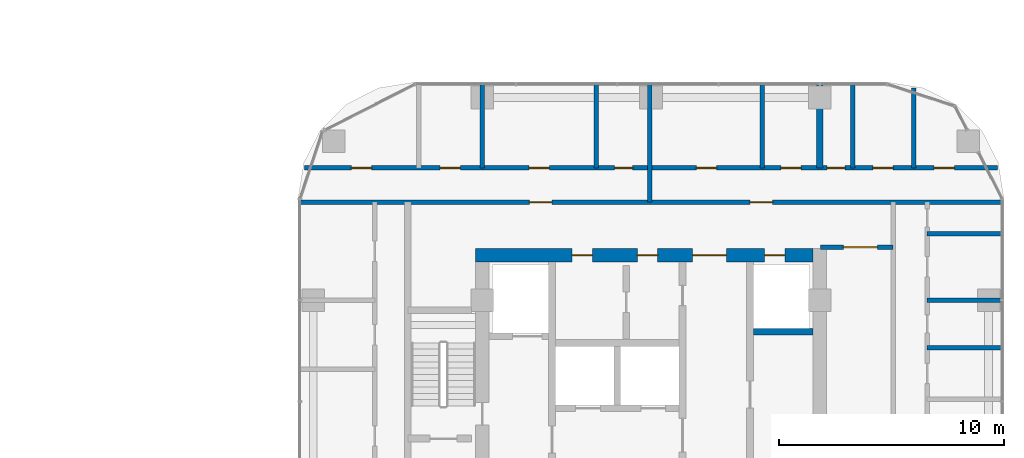
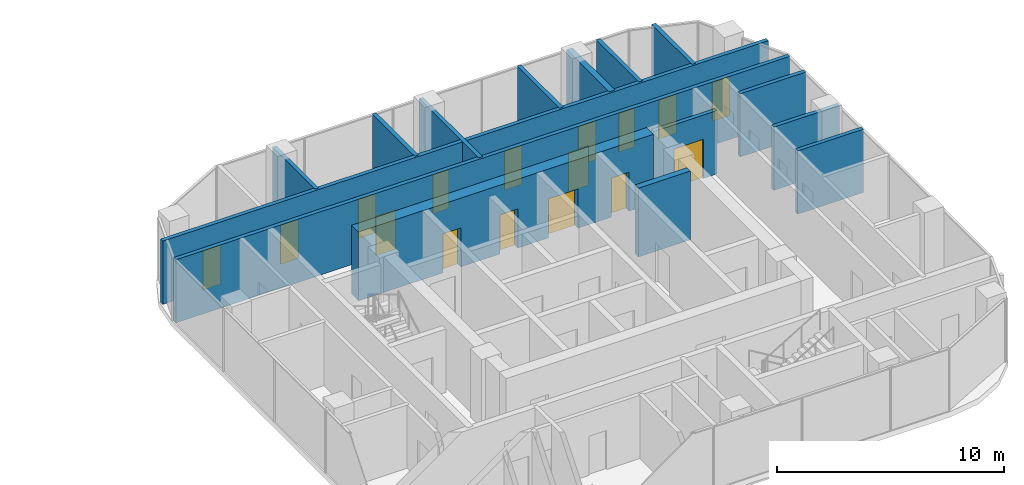
# One storey, part 21 of 30: 16 doors, 15 walls, 16 openings.
"""IFC4 building model written with IfcOpenShell, lengths in metres."""

from ifc_helpers import new_model, si_unit, direction, frame, frame_2d, origin, place, context, subcontext, project, spatial, rectangle, extrude, material, layer, layer_set, type_object, element, fill, save


model = new_model("IFC4")

# Units and contexts
model_context = context("Model", 3, precision=1e-05, world=origin(), true_north=direction((0.0, 1.0)))
body_context = subcontext(model_context, "Body", "Model", "MODEL_VIEW")
ifc_project = project(units=[si_unit("LENGTHUNIT", "METRE"), si_unit("AREAUNIT", "SQUARE_METRE"), si_unit("VOLUMEUNIT", "CUBIC_METRE"), si_unit("PLANEANGLEUNIT", "RADIAN"), si_unit("MASSUNIT", "GRAM", prefix="KILO")], contexts=[model_context])

# Site, building, storey
site_placement = place(None, origin())
site = spatial("IfcSite", under=ifc_project, at=site_placement, CompositionType="ELEMENT")
building_placement = place(site_placement, origin())
building = spatial("IfcBuilding", under=site, at=building_placement, Name="Ogive Portal Towers", CompositionType="ELEMENT")
storey_placement = place(building_placement, frame((0.0, 0.0, 37.199951171875)))
storey = spatial("IfcBuildingStorey", under=building, at=storey_placement, Name="L07", CompositionType="ELEMENT", Elevation=37.199951171875)

# Wall
ifc_material_1 = material(Name="Concrete C60/75", Category="concrete")
ifc_layer_1 = layer(ifc_material_1, 0.300048828125)
ifc_layer_set_1 = layer_set([ifc_layer_1], Name="CORE WALL 300 C60")
wall_type_1 = type_object("IfcWallType", Name="CORE WALL 300 C60", PredefinedType="SHEAR", material=ifc_layer_set_1)
wall_1_placement = place(storey_placement, frame((141.050048828125, 34.10009765625, 0.0), z_axis=(0.0, 0.0, 1.0), x_axis=(1.0, 0.0, 0.0)))
element("IfcWall", 1, at=wall_1_placement, inside=storey, type_object=wall_type_1, Name="Tower B core wall BY7 L07", PredefinedType="SHEAR", context=body_context, shape_type="SweptSolid", body=[
    extrude(rectangle(XDim=2.64990234375, YDim=0.300048828125, at=frame_2d((1.324951171875, 0.0))), origin(), (0.0, 0.0, 1.0), 3.699951171875),
])

# Wall, openings, doors
ifc_layer_2 = layer(ifc_material_1, 0.60009765625)
ifc_layer_set_2 = layer_set([ifc_layer_2], Name="CORE WALL 600 C60")
wall_type_2 = type_object("IfcWallType", Name="CORE WALL 600 C60", PredefinedType="SHEAR", material=ifc_layer_set_2)
wall_2_placement = place(storey_placement, frame((128.699951171875, 37.5, 0.0), z_axis=(0.0, 0.0, 1.0), x_axis=(1.0, 0.0, 0.0)))
wall_2 = element("IfcWall", 2, at=wall_2_placement, inside=storey, type_object=wall_type_2, Name="Tower B core wall BN L07", PredefinedType="SHEAR", context=body_context, shape_type="SweptSolid", body=[
    extrude(rectangle(XDim=15.0, YDim=0.60009765625, at=frame_2d((7.5, 0.0))), origin(), (0.0, 0.0, 1.0), 3.699951171875),
])
opening_1_placement = place(wall_2_placement, frame((9.64990234375, 0.0, 0.0)))
opening_1 = element("IfcOpeningElement", 3, at=opening_1_placement, cuts=wall_2, Name="Opening B01-048", PredefinedType="OPENING", context=body_context, shape_type="SweptSolid", body=[
    extrude(rectangle(XDim=1.5, YDim=2.10009765625, at=frame_2d((0.75, 1.050048828125))), frame((0.0, 0.31005859375, 0.0), z_axis=(0.0, -1.0, 0.0), x_axis=(1.0, 0.0, 0.0)), (0.0, 0.0, 1.0), 0.6201171875),
])
opening_2_placement = place(wall_2_placement, frame((12.85009765625, 0.0, 0.0)))
opening_2 = element("IfcOpeningElement", 4, at=opening_2_placement, cuts=wall_2, Name="Opening B01-050", PredefinedType="OPENING", context=body_context, shape_type="SweptSolid", body=[
    extrude(rectangle(XDim=0.89990234375, YDim=2.10009765625, at=frame_2d((0.449951171875, 1.050048828125))), frame((0.0, 0.31005859375, 0.0), z_axis=(0.0, -1.0, 0.0), x_axis=(1.0, 0.0, 0.0)), (0.0, 0.0, 1.0), 0.6201171875),
])
opening_3_placement = place(wall_2_placement, frame((4.300048828125, 0.0, 0.0)))
opening_3 = element("IfcOpeningElement", 5, at=opening_3_placement, cuts=wall_2, Name="Opening B01-057", PredefinedType="OPENING", context=body_context, shape_type="SweptSolid", body=[
    extrude(rectangle(XDim=0.89990234375, YDim=2.10009765625, at=frame_2d((0.449951171875, 1.050048828125))), frame((0.0, 0.31005859375, 0.0), z_axis=(0.0, -1.0, 0.0), x_axis=(1.0, 0.0, 0.0)), (0.0, 0.0, 1.0), 0.6201171875),
])
opening_4_placement = place(wall_2_placement, frame((7.199951171875, 0.0, 0.0)))
opening_4 = element("IfcOpeningElement", 6, at=opening_4_placement, cuts=wall_2, Name="Opening B01-058", PredefinedType="OPENING", context=body_context, shape_type="SweptSolid", body=[
    extrude(rectangle(XDim=0.89990234375, YDim=2.10009765625, at=frame_2d((0.449951171875, 1.050048828125))), frame((0.0, 0.31005859375, 0.0), z_axis=(0.0, -1.0, 0.0), x_axis=(1.0, 0.0, 0.0)), (0.0, 0.0, 1.0), 0.6201171875),
])
ifc_material_2 = material(Name="Steel fire door", Category="steel")
door_type_1 = type_object("IfcDoorType", Name="DT-SWING-1500x2100-FD90S", OperationType="SINGLE_SWING_LEFT", PredefinedType="DOOR", material=ifc_material_2)
door_1_placement = place(opening_1_placement, origin())
door_1 = element("IfcDoor", 7, at=door_1_placement, inside=storey, type_object=door_type_1, Name="Door B01-048", OperationType="SINGLE_SWING_RIGHT", OverallHeight=2.10009765625, OverallWidth=1.5, PredefinedType="DOOR", context=body_context, shape_type="SweptSolid", body=[
    extrude(rectangle(XDim=1.5, YDim=2.10009765625, at=frame_2d((0.75, 1.050048828125))), frame((0.0, 0.02490234375, 0.0), z_axis=(0.0, -1.0, 0.0), x_axis=(1.0, 0.0, 0.0)), (0.0, 0.0, 1.0), 0.050048828125),
])
fill(opening_1, door_1)
door_type_2 = type_object("IfcDoorType", Name="DT-SWING-900x2100-FD90S", OperationType="SINGLE_SWING_LEFT", PredefinedType="DOOR", material=ifc_material_2)
door_2_placement = place(opening_2_placement, origin())
door_2 = element("IfcDoor", 8, at=door_2_placement, inside=storey, type_object=door_type_2, Name="Riser access door B01-050", OperationType="SINGLE_SWING_RIGHT", OverallHeight=2.10009765625, OverallWidth=0.89990234375, PredefinedType="DOOR", context=body_context, shape_type="SweptSolid", body=[
    extrude(rectangle(XDim=0.89990234375, YDim=2.10009765625, at=frame_2d((0.449951171875, 1.050048828125))), frame((0.0, 0.02490234375, 0.0), z_axis=(0.0, -1.0, 0.0), x_axis=(1.0, 0.0, 0.0)), (0.0, 0.0, 1.0), 0.050048828125),
])
fill(opening_2, door_2)
door_3_placement = place(opening_3_placement, origin())
door_3 = element("IfcDoor", 9, at=door_3_placement, inside=storey, type_object=door_type_2, Name="Door B01-057", OperationType="SINGLE_SWING_LEFT", OverallHeight=2.10009765625, OverallWidth=0.89990234375, PredefinedType="DOOR", context=body_context, shape_type="SweptSolid", body=[
    extrude(rectangle(XDim=0.89990234375, YDim=2.10009765625, at=frame_2d((0.449951171875, 1.050048828125))), frame((0.0, 0.02490234375, 0.0), z_axis=(0.0, -1.0, 0.0), x_axis=(1.0, 0.0, 0.0)), (0.0, 0.0, 1.0), 0.050048828125),
])
fill(opening_3, door_3)
door_4_placement = place(opening_4_placement, origin())
door_4 = element("IfcDoor", 10, at=door_4_placement, inside=storey, type_object=door_type_2, Name="Door B01-058", OperationType="SINGLE_SWING_RIGHT", OverallHeight=2.10009765625, OverallWidth=0.89990234375, PredefinedType="DOOR", context=body_context, shape_type="SweptSolid", body=[
    extrude(rectangle(XDim=0.89990234375, YDim=2.10009765625, at=frame_2d((0.449951171875, 1.050048828125))), frame((0.0, 0.02490234375, 0.0), z_axis=(0.0, -1.0, 0.0), x_axis=(1.0, 0.0, 0.0)), (0.0, 0.0, 1.0), 0.050048828125),
])
fill(opening_4, door_4)

# Walls
ifc_material_3 = material(Name="Gypsum board partition on steel studs", Category="steel")
ifc_layer_3 = layer(ifc_material_3, 0.199951171875)
ifc_layer_set_3 = layer_set([ifc_layer_3], Name="WT-PART-200-EI 60")
wall_type_3 = type_object("IfcWallType", Name="WT-PART-200-EI 60", PredefinedType="PARTITIONING", material=ifc_layer_set_3)
for number, where, z_axis, x_axis, name in (
    (11, (148.77001953125, 33.39111328125, 0.0), (0.0, 0.0, 1.0), (1.0, 0.0, 0.0), "Wall L07:w013"),
    (12, (148.77001953125, 35.5, 0.0), (0.0, 0.0, 1.0), (1.0, 0.0, 0.0), "Wall L07:w016"),
):
    element("IfcWall", number, at=place(storey_placement, frame(where, z_axis=z_axis, x_axis=x_axis)), inside=storey, type_object=wall_type_3, Name=name, PredefinedType="PARTITIONING", context=body_context, shape_type="SweptSolid", body=[
        extrude(rectangle(XDim=3.340087890625, YDim=0.199951171875, at=frame_2d((1.669921875, 0.0))), origin(), (0.0, 0.0, 1.0), 3.400146484375),
    ])

# Wall, opening, door
wall_3_placement = place(storey_placement, frame((144.02001953125, 37.85009765625, 0.0), z_axis=(0.0, 0.0, 1.0), x_axis=(1.0, 0.0, 0.0)))
wall_3 = element("IfcWall", 13, at=wall_3_placement, inside=storey, type_object=wall_type_3, Name="Wall L07:w018", PredefinedType="PARTITIONING", context=body_context, shape_type="SweptSolid", body=[
    extrude(rectangle(XDim=3.22998046875, YDim=0.199951171875, at=frame_2d((1.614990234375, 0.0))), origin(), (0.0, 0.0, 1.0), 3.400146484375),
])
opening_5_placement = place(wall_3_placement, frame((1.030029296875, 0.0, 0.0)))
opening_5 = element("IfcOpeningElement", 14, at=opening_5_placement, cuts=wall_3, Name="Opening B01-001", PredefinedType="OPENING", context=body_context, shape_type="SweptSolid", body=[
    extrude(rectangle(XDim=1.5, YDim=2.10009765625, at=frame_2d((0.75, 1.050048828125))), frame((0.0, 0.10986328125, 0.0), z_axis=(0.0, -1.0, 0.0), x_axis=(1.0, 0.0, 0.0)), (0.0, 0.0, 1.0), 0.219970703125),
])
door_type_3 = type_object("IfcDoorType", Name="DT-SWING-1500x2100-FD60S", OperationType="SINGLE_SWING_LEFT", PredefinedType="DOOR", material=ifc_material_2)
door_5_placement = place(opening_5_placement, origin())
door_5 = element("IfcDoor", 15, at=door_5_placement, inside=storey, type_object=door_type_3, Name="Door B01-001", OperationType="SINGLE_SWING_LEFT", OverallHeight=2.10009765625, OverallWidth=1.5, PredefinedType="DOOR", context=body_context, shape_type="SweptSolid", body=[
    extrude(rectangle(XDim=1.5, YDim=2.10009765625, at=frame_2d((0.75, 1.050048828125))), frame((0.0, 0.02490234375, 0.0), z_axis=(0.0, -1.0, 0.0), x_axis=(1.0, 0.0, 0.0)), (0.0, 0.0, 1.0), 0.050048828125),
])
fill(opening_5, door_5)

# Wall
wall_4_placement = place(storey_placement, frame((148.77001953125, 38.4560546875, 0.0), z_axis=(0.0, 0.0, 1.0), x_axis=(1.0, 0.0, 0.0)))
element("IfcWall", 16, at=wall_4_placement, inside=storey, type_object=wall_type_3, Name="Wall L07:w019", PredefinedType="PARTITIONING", context=body_context, shape_type="SweptSolid", body=[
    extrude(rectangle(XDim=3.340087890625, YDim=0.199951171875, at=frame_2d((1.669921875, 0.0))), origin(), (0.0, 0.0, 1.0), 3.400146484375),
])

# Wall, openings, doors
wall_5_placement = place(storey_placement, frame((120.889892578125, 39.85009765625, 0.0), z_axis=(0.0, 0.0, 1.0), x_axis=(1.0, 0.0, 0.0)))
wall_5 = element("IfcWall", 17, at=wall_5_placement, inside=storey, type_object=wall_type_3, Name="Wall L07:w020", PredefinedType="PARTITIONING", context=body_context, shape_type="SweptSolid", body=[
    extrude(rectangle(XDim=31.22021484375, YDim=0.199951171875, at=frame_2d((15.610107421875, 0.0))), origin(), (0.0, 0.0, 1.0), 3.400146484375),
])
opening_6_placement = place(wall_5_placement, frame((10.2099609375, 0.0, 0.0)))
opening_6 = element("IfcOpeningElement", 18, at=opening_6_placement, cuts=wall_5, Name="Opening B01-005", PredefinedType="OPENING", context=body_context, shape_type="SweptSolid", body=[
    extrude(rectangle(XDim=1.0, YDim=2.10009765625, at=frame_2d((0.5, 1.050048828125))), frame((0.0, 0.10986328125, 0.0), z_axis=(0.0, -1.0, 0.0), x_axis=(1.0, 0.0, 0.0)), (0.0, 0.0, 1.0), 0.219970703125),
])
opening_7_placement = place(wall_5_placement, frame((20.010009765625, 0.0, 0.0)))
opening_7 = element("IfcOpeningElement", 19, at=opening_7_placement, cuts=wall_5, Name="Opening B01-010", PredefinedType="OPENING", context=body_context, shape_type="SweptSolid", body=[
    extrude(rectangle(XDim=1.0, YDim=2.10009765625, at=frame_2d((0.5, 1.050048828125))), frame((0.0, 0.10986328125, 0.0), z_axis=(0.0, -1.0, 0.0), x_axis=(1.0, 0.0, 0.0)), (0.0, 0.0, 1.0), 0.219970703125),
])
door_type_4 = type_object("IfcDoorType", Name="DT-SWING-1000x2100-FD60S", OperationType="SINGLE_SWING_LEFT", PredefinedType="DOOR", material=ifc_material_2)
door_6_placement = place(opening_6_placement, origin())
door_6 = element("IfcDoor", 20, at=door_6_placement, inside=storey, type_object=door_type_4, Name="Door B01-005", OperationType="SINGLE_SWING_LEFT", OverallHeight=2.10009765625, OverallWidth=1.0, PredefinedType="DOOR", context=body_context, shape_type="SweptSolid", body=[
    extrude(rectangle(XDim=1.0, YDim=2.10009765625, at=frame_2d((0.5, 1.050048828125))), frame((0.0, 0.02490234375, 0.0), z_axis=(0.0, -1.0, 0.0), x_axis=(1.0, 0.0, 0.0)), (0.0, 0.0, 1.0), 0.050048828125),
])
fill(opening_6, door_6)
door_7_placement = place(opening_7_placement, origin())
door_7 = element("IfcDoor", 21, at=door_7_placement, inside=storey, type_object=door_type_4, Name="Door B01-010", OperationType="SINGLE_SWING_RIGHT", OverallHeight=2.10009765625, OverallWidth=1.0, PredefinedType="DOOR", context=body_context, shape_type="SweptSolid", body=[
    extrude(rectangle(XDim=1.0, YDim=2.10009765625, at=frame_2d((0.5, 1.050048828125))), frame((0.0, 0.02490234375, 0.0), z_axis=(0.0, -1.0, 0.0), x_axis=(1.0, 0.0, 0.0)), (0.0, 0.0, 1.0), 0.050048828125),
])
fill(opening_7, door_7)

wall_6_placement = place(storey_placement, frame((121.10791015625, 41.3701171875, 0.0), z_axis=(0.0, 0.0, 1.0), x_axis=(1.0, 0.0, 0.0)))
wall_6 = element("IfcWall", 22, at=wall_6_placement, inside=storey, type_object=wall_type_3, Name="Wall L07:w021", PredefinedType="PARTITIONING", context=body_context, shape_type="SweptSolid", body=[
    extrude(rectangle(XDim=30.7841796875, YDim=0.199951171875, at=frame_2d((15.39208984375, 0.0))), origin(), (0.0, 0.0, 1.0), 3.400146484375),
])
opening_8_placement = place(wall_6_placement, frame((2.0810546875, 0.0, 0.0)))
opening_8 = element("IfcOpeningElement", 23, at=opening_8_placement, cuts=wall_6, Name="Opening B01-006", PredefinedType="OPENING", context=body_context, shape_type="SweptSolid", body=[
    extrude(rectangle(XDim=0.89990234375, YDim=2.10009765625, at=frame_2d((0.449951171875, 1.050048828125))), frame((0.0, 0.10986328125, 0.0), z_axis=(0.0, -1.0, 0.0), x_axis=(1.0, 0.0, 0.0)), (0.0, 0.0, 1.0), 0.219970703125),
])
opening_9_placement = place(wall_6_placement, frame((6.029052734375, 0.0, 0.0)))
opening_9 = element("IfcOpeningElement", 24, at=opening_9_placement, cuts=wall_6, Name="Opening B01-007", PredefinedType="OPENING", context=body_context, shape_type="SweptSolid", body=[
    extrude(rectangle(XDim=0.89990234375, YDim=2.10009765625, at=frame_2d((0.449951171875, 1.050048828125))), frame((0.0, 0.10986328125, 0.0), z_axis=(0.0, -1.0, 0.0), x_axis=(1.0, 0.0, 0.0)), (0.0, 0.0, 1.0), 0.219970703125),
])
opening_10_placement = place(wall_6_placement, frame((9.97607421875, 0.0, 0.0)))
opening_10 = element("IfcOpeningElement", 25, at=opening_10_placement, cuts=wall_6, Name="Opening B01-008", PredefinedType="OPENING", context=body_context, shape_type="SweptSolid", body=[
    extrude(rectangle(XDim=0.89990234375, YDim=2.10009765625, at=frame_2d((0.449951171875, 1.050048828125))), frame((0.0, 0.10986328125, 0.0), z_axis=(0.0, -1.0, 0.0), x_axis=(1.0, 0.0, 0.0)), (0.0, 0.0, 1.0), 0.219970703125),
])
opening_11_placement = place(wall_6_placement, frame((13.77587890625, 0.0, 0.0)))
opening_11 = element("IfcOpeningElement", 26, at=opening_11_placement, cuts=wall_6, Name="Opening B01-009", PredefinedType="OPENING", context=body_context, shape_type="SweptSolid", body=[
    extrude(rectangle(XDim=0.800048828125, YDim=2.10009765625, at=frame_2d((0.39990234375, 1.050048828125))), frame((0.0, 0.10986328125, 0.0), z_axis=(0.0, -1.0, 0.0), x_axis=(1.0, 0.0, 0.0)), (0.0, 0.0, 1.0), 0.219970703125),
])
opening_12_placement = place(wall_6_placement, frame((17.408935546875, 0.0, 0.0)))
opening_12 = element("IfcOpeningElement", 27, at=opening_12_placement, cuts=wall_6, Name="Opening B01-011", PredefinedType="OPENING", context=body_context, shape_type="SweptSolid", body=[
    extrude(rectangle(XDim=0.89990234375, YDim=2.10009765625, at=frame_2d((0.449951171875, 1.050048828125))), frame((0.0, 0.10986328125, 0.0), z_axis=(0.0, -1.0, 0.0), x_axis=(1.0, 0.0, 0.0)), (0.0, 0.0, 1.0), 0.219970703125),
])
opening_13_placement = place(wall_6_placement, frame((21.158935546875, 0.0, 0.0)))
opening_13 = element("IfcOpeningElement", 28, at=opening_13_placement, cuts=wall_6, Name="Opening B01-012", PredefinedType="OPENING", context=body_context, shape_type="SweptSolid", body=[
    extrude(rectangle(XDim=0.89990234375, YDim=2.10009765625, at=frame_2d((0.449951171875, 1.050048828125))), frame((0.0, 0.10986328125, 0.0), z_axis=(0.0, -1.0, 0.0), x_axis=(1.0, 0.0, 0.0)), (0.0, 0.0, 1.0), 0.219970703125),
])
opening_14_placement = place(wall_6_placement, frame((23.218994140625, 0.0, 0.0)))
opening_14 = element("IfcOpeningElement", 29, at=opening_14_placement, cuts=wall_6, Name="Opening B01-013", PredefinedType="OPENING", context=body_context, shape_type="SweptSolid", body=[
    extrude(rectangle(XDim=0.800048828125, YDim=2.10009765625, at=frame_2d((0.39990234375, 1.050048828125))), frame((0.0, 0.10986328125, 0.0), z_axis=(0.0, -1.0, 0.0), x_axis=(1.0, 0.0, 0.0)), (0.0, 0.0, 1.0), 0.219970703125),
])
opening_15_placement = place(wall_6_placement, frame((25.25, 0.0, 0.0)))
opening_15 = element("IfcOpeningElement", 30, at=opening_15_placement, cuts=wall_6, Name="Opening B01-014", PredefinedType="OPENING", context=body_context, shape_type="SweptSolid", body=[
    extrude(rectangle(XDim=0.89990234375, YDim=2.10009765625, at=frame_2d((0.449951171875, 1.050048828125))), frame((0.0, 0.10986328125, 0.0), z_axis=(0.0, -1.0, 0.0), x_axis=(1.0, 0.0, 0.0)), (0.0, 0.0, 1.0), 0.219970703125),
])
opening_16_placement = place(wall_6_placement, frame((27.969970703125, 0.0, 0.0)))
opening_16 = element("IfcOpeningElement", 31, at=opening_16_placement, cuts=wall_6, Name="Opening B01-015", PredefinedType="OPENING", context=body_context, shape_type="SweptSolid", body=[
    extrude(rectangle(XDim=0.89990234375, YDim=2.10009765625, at=frame_2d((0.449951171875, 1.050048828125))), frame((0.0, 0.10986328125, 0.0), z_axis=(0.0, -1.0, 0.0), x_axis=(1.0, 0.0, 0.0)), (0.0, 0.0, 1.0), 0.219970703125),
])
door_type_5 = type_object("IfcDoorType", Name="DT-SWING-800x2100-FD60S", OperationType="SINGLE_SWING_LEFT", PredefinedType="DOOR", material=ifc_material_2)
door_8_placement = place(opening_11_placement, origin())
door_8 = element("IfcDoor", 32, at=door_8_placement, inside=storey, type_object=door_type_5, Name="Door B01-009", OperationType="SINGLE_SWING_LEFT", OverallHeight=2.10009765625, OverallWidth=0.800048828125, PredefinedType="DOOR", context=body_context, shape_type="SweptSolid", body=[
    extrude(rectangle(XDim=0.800048828125, YDim=2.10009765625, at=frame_2d((0.39990234375, 1.050048828125))), frame((0.0, 0.02490234375, 0.0), z_axis=(0.0, -1.0, 0.0), x_axis=(1.0, 0.0, 0.0)), (0.0, 0.0, 1.0), 0.050048828125),
])
fill(opening_11, door_8)
door_9_placement = place(opening_14_placement, origin())
door_9 = element("IfcDoor", 33, at=door_9_placement, inside=storey, type_object=door_type_5, Name="Door B01-013", OperationType="SINGLE_SWING_LEFT", OverallHeight=2.10009765625, OverallWidth=0.800048828125, PredefinedType="DOOR", context=body_context, shape_type="SweptSolid", body=[
    extrude(rectangle(XDim=0.800048828125, YDim=2.10009765625, at=frame_2d((0.39990234375, 1.050048828125))), frame((0.0, 0.02490234375, 0.0), z_axis=(0.0, -1.0, 0.0), x_axis=(1.0, 0.0, 0.0)), (0.0, 0.0, 1.0), 0.050048828125),
])
fill(opening_14, door_9)
door_type_6 = type_object("IfcDoorType", Name="DT-SWING-900x2100-FD60S", OperationType="SINGLE_SWING_LEFT", PredefinedType="DOOR", material=ifc_material_2)
door_10_placement = place(opening_8_placement, origin())
door_10 = element("IfcDoor", 34, at=door_10_placement, inside=storey, type_object=door_type_6, Name="Door B01-006", OperationType="SINGLE_SWING_RIGHT", OverallHeight=2.10009765625, OverallWidth=0.89990234375, PredefinedType="DOOR", context=body_context, shape_type="SweptSolid", body=[
    extrude(rectangle(XDim=0.89990234375, YDim=2.10009765625, at=frame_2d((0.449951171875, 1.050048828125))), frame((0.0, 0.02490234375, 0.0), z_axis=(0.0, -1.0, 0.0), x_axis=(1.0, 0.0, 0.0)), (0.0, 0.0, 1.0), 0.050048828125),
])
fill(opening_8, door_10)
door_11_placement = place(opening_9_placement, origin())
door_11 = element("IfcDoor", 35, at=door_11_placement, inside=storey, type_object=door_type_6, Name="Door B01-007", OperationType="SINGLE_SWING_LEFT", OverallHeight=2.10009765625, OverallWidth=0.89990234375, PredefinedType="DOOR", context=body_context, shape_type="SweptSolid", body=[
    extrude(rectangle(XDim=0.89990234375, YDim=2.10009765625, at=frame_2d((0.449951171875, 1.050048828125))), frame((0.0, 0.02490234375, 0.0), z_axis=(0.0, -1.0, 0.0), x_axis=(1.0, 0.0, 0.0)), (0.0, 0.0, 1.0), 0.050048828125),
])
fill(opening_9, door_11)
door_12_placement = place(opening_10_placement, origin())
door_12 = element("IfcDoor", 36, at=door_12_placement, inside=storey, type_object=door_type_6, Name="Door B01-008", OperationType="SINGLE_SWING_RIGHT", OverallHeight=2.10009765625, OverallWidth=0.89990234375, PredefinedType="DOOR", context=body_context, shape_type="SweptSolid", body=[
    extrude(rectangle(XDim=0.89990234375, YDim=2.10009765625, at=frame_2d((0.449951171875, 1.050048828125))), frame((0.0, 0.02490234375, 0.0), z_axis=(0.0, -1.0, 0.0), x_axis=(1.0, 0.0, 0.0)), (0.0, 0.0, 1.0), 0.050048828125),
])
fill(opening_10, door_12)
door_13_placement = place(opening_12_placement, origin())
door_13 = element("IfcDoor", 37, at=door_13_placement, inside=storey, type_object=door_type_6, Name="Door B01-011", OperationType="SINGLE_SWING_LEFT", OverallHeight=2.10009765625, OverallWidth=0.89990234375, PredefinedType="DOOR", context=body_context, shape_type="SweptSolid", body=[
    extrude(rectangle(XDim=0.89990234375, YDim=2.10009765625, at=frame_2d((0.449951171875, 1.050048828125))), frame((0.0, 0.02490234375, 0.0), z_axis=(0.0, -1.0, 0.0), x_axis=(1.0, 0.0, 0.0)), (0.0, 0.0, 1.0), 0.050048828125),
])
fill(opening_12, door_13)
door_14_placement = place(opening_13_placement, origin())
door_14 = element("IfcDoor", 38, at=door_14_placement, inside=storey, type_object=door_type_6, Name="Door B01-012", OperationType="SINGLE_SWING_RIGHT", OverallHeight=2.10009765625, OverallWidth=0.89990234375, PredefinedType="DOOR", context=body_context, shape_type="SweptSolid", body=[
    extrude(rectangle(XDim=0.89990234375, YDim=2.10009765625, at=frame_2d((0.449951171875, 1.050048828125))), frame((0.0, 0.02490234375, 0.0), z_axis=(0.0, -1.0, 0.0), x_axis=(1.0, 0.0, 0.0)), (0.0, 0.0, 1.0), 0.050048828125),
])
fill(opening_13, door_14)
door_15_placement = place(opening_15_placement, origin())
door_15 = element("IfcDoor", 39, at=door_15_placement, inside=storey, type_object=door_type_6, Name="Door B01-014", OperationType="SINGLE_SWING_RIGHT", OverallHeight=2.10009765625, OverallWidth=0.89990234375, PredefinedType="DOOR", context=body_context, shape_type="SweptSolid", body=[
    extrude(rectangle(XDim=0.89990234375, YDim=2.10009765625, at=frame_2d((0.449951171875, 1.050048828125))), frame((0.0, 0.02490234375, 0.0), z_axis=(0.0, -1.0, 0.0), x_axis=(1.0, 0.0, 0.0)), (0.0, 0.0, 1.0), 0.050048828125),
])
fill(opening_15, door_15)
door_16_placement = place(opening_16_placement, origin())
door_16 = element("IfcDoor", 40, at=door_16_placement, inside=storey, type_object=door_type_6, Name="Door B01-015", OperationType="SINGLE_SWING_LEFT", OverallHeight=2.10009765625, OverallWidth=0.89990234375, PredefinedType="DOOR", context=body_context, shape_type="SweptSolid", body=[
    extrude(rectangle(XDim=0.89990234375, YDim=2.10009765625, at=frame_2d((0.449951171875, 1.050048828125))), frame((0.0, 0.02490234375, 0.0), z_axis=(0.0, -1.0, 0.0), x_axis=(1.0, 0.0, 0.0)), (0.0, 0.0, 1.0), 0.050048828125),
])
fill(opening_16, door_16)

# Walls
for number, where, z_axis, x_axis, name in (
    (41, (129.0, 41.3701171875, 0.0), (0.0, 0.0, 1.0), (0.0, 1.0, 0.0), "Wall L07:w030"),
    (42, (134.069091796875, 41.3701171875, 0.0), (0.0, 0.0, 1.0), (0.0, 1.0, 0.0), "Wall L07:w032"),
):
    element("IfcWall", number, at=place(storey_placement, frame(where, z_axis=z_axis, x_axis=x_axis)), inside=storey, type_object=wall_type_3, Name=name, PredefinedType="PARTITIONING", context=body_context, shape_type="SweptSolid", body=[
        extrude(rectangle(XDim=3.739990234375, YDim=0.199951171875, at=frame_2d((1.8701171875, 0.0))), origin(), (0.0, 0.0, 1.0), 3.400146484375),
    ])
wall_7_placement = place(storey_placement, frame((136.449951171875, 39.85009765625, 0.0), z_axis=(0.0, 0.0, 1.0), x_axis=(0.0, 1.0, 0.0)))
element("IfcWall", 43, at=wall_7_placement, inside=storey, type_object=wall_type_3, Name="Wall L07:w036", PredefinedType="PARTITIONING", context=body_context, shape_type="SweptSolid", body=[
    extrude(rectangle(XDim=5.260009765625, YDim=0.199951171875, at=frame_2d((2.6298828125, 0.0))), origin(), (0.0, 0.0, 1.0), 3.400146484375),
])
for number, where, z_axis, x_axis, name in (
    (44, (141.43310546875, 41.3701171875, 0.0), (0.0, 0.0, 1.0), (0.0, 1.0, 0.0), "Wall L07:w038"),
    (45, (145.4541015625, 41.3701171875, 0.0), (0.0, 0.0, 1.0), (0.0, 1.0, 0.0), "Wall L07:w044"),
):
    element("IfcWall", number, at=place(storey_placement, frame(where, z_axis=z_axis, x_axis=x_axis)), inside=storey, type_object=wall_type_3, Name=name, PredefinedType="PARTITIONING", context=body_context, shape_type="SweptSolid", body=[
        extrude(rectangle(XDim=3.739990234375, YDim=0.199951171875, at=frame_2d((1.8701171875, 0.0))), origin(), (0.0, 0.0, 1.0), 3.400146484375),
    ])
wall_8_placement = place(storey_placement, frame((148.162109375, 41.3701171875, 0.0), z_axis=(0.0, 0.0, 1.0), x_axis=(0.0, 1.0, 0.0)))
element("IfcWall", 46, at=wall_8_placement, inside=storey, type_object=wall_type_3, Name="Wall L07:w047", PredefinedType="PARTITIONING", context=body_context, shape_type="SweptSolid", body=[
    extrude(rectangle(XDim=3.554931640625, YDim=0.199951171875, at=frame_2d((1.77734375, 0.0))), origin(), (0.0, 0.0, 1.0), 3.400146484375),
])
ifc_layer_4 = layer(ifc_material_3, 0.300048828125)
ifc_layer_set_4 = layer_set([ifc_layer_4], Name="WT-PART-300-EI 60")
wall_type_4 = type_object("IfcWallType", Name="WT-PART-300-EI 60", PredefinedType="PARTITIONING", material=ifc_layer_set_4)
wall_9_placement = place(storey_placement, frame((144.0, 41.3701171875, 0.0), z_axis=(0.0, 0.0, 1.0), x_axis=(0.0, 1.0, 0.0)))
element("IfcWall", 47, at=wall_9_placement, inside=storey, type_object=wall_type_4, Name="Wall L07:w040", PredefinedType="PARTITIONING", context=body_context, shape_type="SweptSolid", body=[
    extrude(rectangle(XDim=3.739990234375, YDim=0.300048828125, at=frame_2d((1.8701171875, 0.0))), origin(), (0.0, 0.0, 1.0), 3.400146484375),
])

save(model, "model.ifc")
